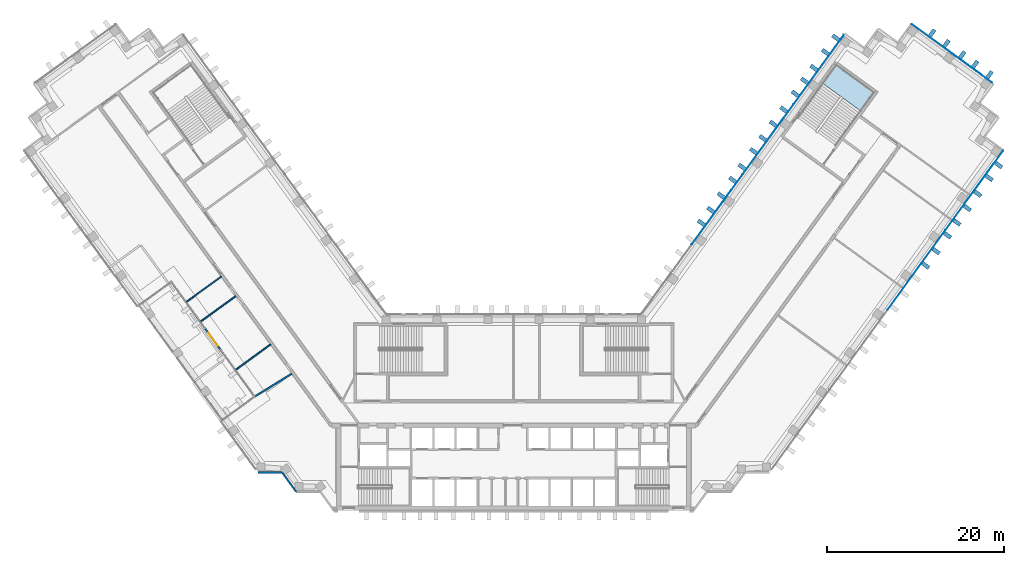
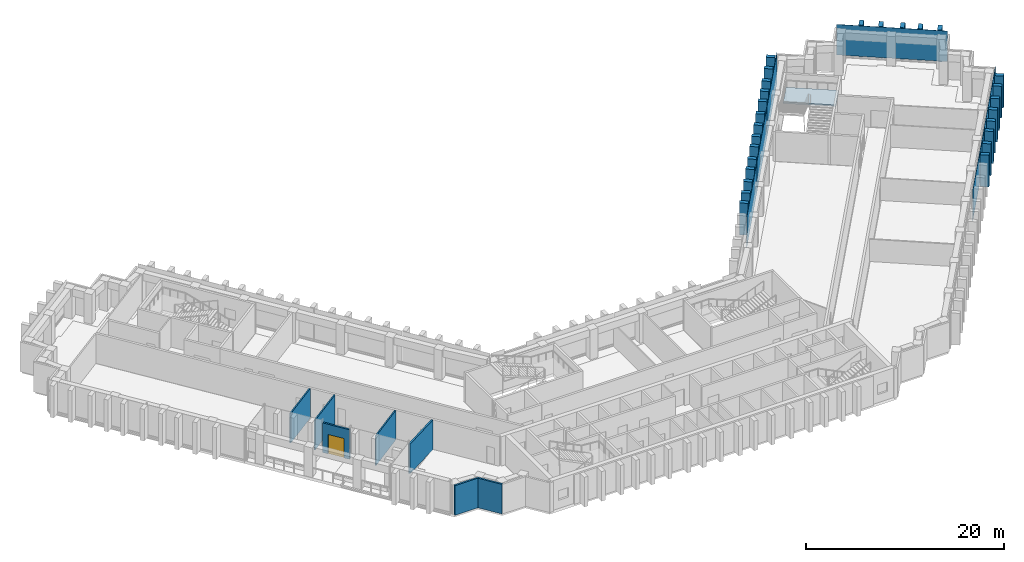
"""IFC4 building model written with IfcOpenShell, lengths in metres."""

from ifc_helpers import new_model, si_unit, direction, frame, frame_2d, origin, origin_2d, place, context, subcontext, project, spatial, polyline, rectangle, outline, extrude, material, layer, layer_set, type_object, element, fill, aggregate, save


model = new_model("IFC4")

# Units and contexts
model_context = context("Model", 3, precision=1e-05, world=origin(), true_north=direction((0.0, 1.0)))
body_context = subcontext(model_context, "Body", "Model", "MODEL_VIEW")
ifc_project = project(units=[si_unit("LENGTHUNIT", "METRE"), si_unit("AREAUNIT", "SQUARE_METRE"), si_unit("VOLUMEUNIT", "CUBIC_METRE"), si_unit("PLANEANGLEUNIT", "RADIAN"), si_unit("MASSUNIT", "GRAM", prefix="KILO")], contexts=[model_context])

# Site, building, storey
site_placement = place(None, origin())
site = spatial("IfcSite", under=ifc_project, at=site_placement, CompositionType="ELEMENT")
building_placement = place(site_placement, origin())
building = spatial("IfcBuilding", under=site, at=building_placement, Name="Quipu Civic Tower", CompositionType="ELEMENT")
storey_1_placement = place(building_placement, frame((0.0, 0.0, 59.0)))
storey_1 = spatial("IfcBuildingStorey", under=building, at=storey_1_placement, Name="L13", CompositionType="ELEMENT", Elevation=59.0)

# Curtain wall
ifc_material_1 = material(Name="Insulated glass unit", Category="glass")
curtain_wall_type = type_object("IfcCurtainWallType", Name="Office curtain wall CW1", PredefinedType="NOTDEFINED", material=ifc_material_1)
curtain_wall_1_placement = place(storey_1_placement, origin())
curtain_wall_1 = element("IfcCurtainWall", 1, at=curtain_wall_1_placement, inside=storey_1, type_object=curtain_wall_type, Name="Office curtain wall CW1 L12 run 26", PredefinedType="NOTDEFINED")

# Storey
storey_2_placement = place(building_placement, frame((0.0, 0.0, 55.0)))
storey_2 = spatial("IfcBuildingStorey", under=building, at=storey_2_placement, Name="L12", CompositionType="ELEMENT", Elevation=55.0)

# Plate
ifc_material_2 = material(Name="Insulated glass unit", Category="glass")
ifc_layer_1 = layer(ifc_material_2, 0.028076171875)
ifc_layer_set_1 = layer_set([ifc_layer_1], Name="Insulated glass unit")
plate_type_1 = type_object("IfcPlateType", Name="Glass panel CW1", PredefinedType="CURTAIN_PANEL", material=ifc_layer_set_1)
plate_1_placement = place(storey_2_placement, frame((45.4296875, 16.11669921875, 0.240234375), z_axis=(0.0, 0.0, 1.0), x_axis=(0.587785559869, 0.809016770908, 0.0)))
plate_1 = element("IfcPlate", 2, at=plate_1_placement, inside=storey_2, type_object=plate_type_1, Name="CW1 panel 3.1", PredefinedType="CURTAIN_PANEL", context=body_context, shape_type="SweptSolid", body=[
    extrude(rectangle(XDim=11.062744140625, YDim=0.028076171875, at=origin_2d()), origin(), (0.0, 0.0, 1.0), 3.760009765625),
])

plate_2_placement = place(storey_2_placement, frame((51.967529296875, 25.114990234375, 0.240234375), z_axis=(0.0, 0.0, 1.0), x_axis=(0.587785559869, 0.809016770908, 0.0)))
plate_2 = element("IfcPlate", 3, at=plate_2_placement, inside=storey_2, type_object=plate_type_1, Name="CW1 panel 4.1", PredefinedType="CURTAIN_PANEL", context=body_context, shape_type="SweptSolid", body=[
    extrude(rectangle(XDim=11.022705078125, YDim=0.028076171875, at=origin_2d()), origin(), (0.0, 0.0, 1.0), 3.760009765625),
])

aggregate(curtain_wall_1, [plate_1, plate_2])

# Curtain wall, plate
curtain_wall_2_placement = place(storey_1_placement, origin())
curtain_wall_2 = element("IfcCurtainWall", 4, at=curtain_wall_2_placement, inside=storey_1, type_object=curtain_wall_type, Name="Office curtain wall CW1 L12 run 31", PredefinedType="NOTDEFINED")
plate_3_placement = place(storey_2_placement, frame((49.447998046875, 40.53173828125, 0.240234375), z_axis=(0.0, 0.0, 1.0), x_axis=(-0.809019348124, 0.587782012621, 0.0)))
plate_3 = element("IfcPlate", 5, at=plate_3_placement, inside=storey_2, type_object=plate_type_1, Name="CW1 panel 1.1", PredefinedType="CURTAIN_PANEL", context=body_context, shape_type="SweptSolid", body=[
    extrude(rectangle(XDim=11.239990234375, YDim=0.028076171875, at=origin_2d()), origin(), (0.0, 0.0, 1.0), 3.760009765625),
])
aggregate(curtain_wall_2, [plate_3])

# Curtain wall, plates
curtain_wall_3_placement = place(storey_1_placement, origin())
curtain_wall_3 = element("IfcCurtainWall", 6, at=curtain_wall_3_placement, inside=storey_1, type_object=curtain_wall_type, Name="Office curtain wall CW1 L12 run 36", PredefinedType="NOTDEFINED")
plate_4_placement = place(storey_2_placement, frame((34.413330078125, 38.722900390625, 0.240234375), z_axis=(0.0, 0.0, 1.0), x_axis=(-0.587785887566, -0.809016532822, 0.0)))
plate_4 = element("IfcPlate", 7, at=plate_4_placement, inside=storey_2, type_object=plate_type_1, Name="CW1 panel 1.1", PredefinedType="CURTAIN_PANEL", context=body_context, shape_type="SweptSolid", body=[
    extrude(rectangle(XDim=9.64111328125, YDim=0.028076171875, at=origin_2d()), origin(), (0.0, 0.0, 1.0), 3.760009765625),
])
plate_5_placement = place(storey_2_placement, frame((28.687744140625, 30.84228515625, 0.240234375), z_axis=(0.0, 0.0, 1.0), x_axis=(-0.587785887566, -0.809016532822, 0.0)))
plate_5 = element("IfcPlate", 8, at=plate_5_placement, inside=storey_2, type_object=plate_type_1, Name="CW1 panel 2.1", PredefinedType="CURTAIN_PANEL", context=body_context, shape_type="SweptSolid", body=[
    extrude(rectangle(XDim=9.68115234375, YDim=0.028076171875, at=origin_2d()), origin(), (0.0, 0.0, 1.0), 3.760009765625),
])
plate_6_placement = place(storey_2_placement, frame((22.950439453125, 22.9453125, 0.240234375), z_axis=(0.0, 0.0, 1.0), x_axis=(-0.587785887566, -0.809016532822, 0.0)))
plate_6 = element("IfcPlate", 9, at=plate_6_placement, inside=storey_2, type_object=plate_type_1, Name="CW1 panel 3.1", PredefinedType="CURTAIN_PANEL", context=body_context, shape_type="SweptSolid", body=[
    extrude(rectangle(XDim=9.68115234375, YDim=0.028076171875, at=origin_2d()), origin(), (0.0, 0.0, 1.0), 3.760009765625),
])
aggregate(curtain_wall_3, [plate_4, plate_5, plate_6])

# Plates
ifc_material_3 = material(Name="Precast concrete C40/50", Category="concrete")
plate_type_2 = type_object("IfcPlateType", Name="Precast fin F1", PredefinedType="SHEET", material=ifc_material_3)
for number, where, z_axis, x_axis, name in (
    (10, (46.472900390625, 16.61669921875, 0.080078125), (0.0, 0.0, 1.0), (0.587785716149, 0.809016657363, 0.0), "Precast fin F1 L12.26.15"),
    (11, (47.6484375, 18.234619140625, 0.080078125), (0.0, 0.0, 1.0), (0.587785716149, 0.809016657363, 0.0), "Precast fin F1 L12.26.16"),
    (12, (48.941650390625, 20.0146484375, 0.080078125), (0.0, 0.0, 1.0), (0.587785716149, 0.809016657363, 0.0), "Precast fin F1 L12.26.17"),
    (13, (49.999755859375, 21.470703125, 0.080078125), (0.0, 0.0, 1.0), (0.587785716149, 0.809016657363, 0.0), "Precast fin F1 L12.26.18"),
    (14, (51.17529296875, 23.0888671875, 0.080078125), (0.0, 0.0, 1.0), (0.587785716149, 0.809016657363, 0.0), "Precast fin F1 L12.26.19"),
    (15, (52.350830078125, 24.706787109375, 0.080078125), (0.0, 0.0, 1.0), (0.587785716149, 0.809016657363, 0.0), "Precast fin F1 L12.26.20"),
    (16, (53.643798828125, 26.48681640625, 0.080078125), (0.0, 0.0, 1.0), (0.587785716149, 0.809016657363, 0.0), "Precast fin F1 L12.26.21"),
    (17, (54.701904296875, 27.94287109375, 0.080078125), (0.0, 0.0, 1.0), (0.587785716149, 0.809016657363, 0.0), "Precast fin F1 L12.26.22"),
    (18, (53.6748046875, 38.140625, 0.080078125), (0.0, 0.0, 1.0), (-0.809021318545, 0.587779300537, 0.0), "Precast fin F1 L12.31.1"),
    (19, (52.056884765625, 39.316162109375, 0.080078125), (0.0, 0.0, 1.0), (-0.809021318545, 0.587779300537, 0.0), "Precast fin F1 L12.31.2"),
    (20, (50.6005859375, 40.374267578125, 0.080078125), (0.0, 0.0, 1.0), (-0.809021318545, 0.587779300537, 0.0), "Precast fin F1 L12.31.3"),
    (21, (48.82080078125, 41.66748046875, 0.080078125), (0.0, 0.0, 1.0), (-0.809021318545, 0.587779300537, 0.0), "Precast fin F1 L12.31.4"),
    (22, (47.20263671875, 42.843017578125, 0.080078125), (0.0, 0.0, 1.0), (-0.809021318545, 0.587779300537, 0.0), "Precast fin F1 L12.31.5"),
    (23, (36.334716796875, 42.302978515625, 0.080078125), (0.0, 0.0, 1.0), (-0.587784944053, -0.809017218324, 0.0), "Precast fin F1 L12.36.1"),
    (24, (35.158935546875, 40.684814453125, 0.080078125), (0.0, 0.0, 1.0), (-0.587784944053, -0.809017218324, 0.0), "Precast fin F1 L12.36.2"),
    (25, (33.865966796875, 38.905029296875, 0.080078125), (0.0, 0.0, 1.0), (-0.587784944053, -0.809017218324, 0.0), "Precast fin F1 L12.36.3"),
    (26, (32.807861328125, 37.44873046875, 0.080078125), (0.0, 0.0, 1.0), (-0.587784944053, -0.809017218324, 0.0), "Precast fin F1 L12.36.4"),
    (27, (31.75, 35.992431640625, 0.080078125), (0.0, 0.0, 1.0), (-0.587784944053, -0.809017218324, 0.0), "Precast fin F1 L12.36.5"),
    (28, (30.456787109375, 34.212646484375, 0.080078125), (0.0, 0.0, 1.0), (-0.587784944053, -0.809017218324, 0.0), "Precast fin F1 L12.36.6"),
    (29, (29.28125, 32.5947265625, 0.080078125), (0.0, 0.0, 1.0), (-0.587784944053, -0.809017218324, 0.0), "Precast fin F1 L12.36.7"),
    (30, (28.105712890625, 30.9765625, 0.080078125), (0.0, 0.0, 1.0), (-0.587784944053, -0.809017218324, 0.0), "Precast fin F1 L12.36.8"),
    (31, (27.047607421875, 29.5205078125, 0.080078125), (0.0, 0.0, 1.0), (-0.587784944053, -0.809017218324, 0.0), "Precast fin F1 L12.36.9"),
    (32, (25.75439453125, 27.740478515625, 0.080078125), (0.0, 0.0, 1.0), (-0.587784944053, -0.809017218324, 0.0), "Precast fin F1 L12.36.10"),
    (33, (24.696533203125, 26.284423828125, 0.080078125), (0.0, 0.0, 1.0), (-0.587784944053, -0.809017218324, 0.0), "Precast fin F1 L12.36.11"),
    (34, (23.4033203125, 24.50439453125, 0.080078125), (0.0, 0.0, 1.0), (-0.587784944053, -0.809017218324, 0.0), "Precast fin F1 L12.36.12"),
    (35, (22.227783203125, 22.886474609375, 0.080078125), (0.0, 0.0, 1.0), (-0.587784944053, -0.809017218324, 0.0), "Precast fin F1 L12.36.13"),
    (36, (21.169677734375, 21.43017578125, 0.080078125), (0.0, 0.0, 1.0), (-0.587784944053, -0.809017218324, 0.0), "Precast fin F1 L12.36.14"),
):
    element("IfcPlate", number, at=place(storey_2_placement, frame(where, z_axis=z_axis, x_axis=x_axis)), inside=storey_2, type_object=plate_type_2, Name=name, PredefinedType="SHEET", context=body_context, shape_type="SweptSolid", body=[
        extrude(rectangle(XDim=0.449951171875, YDim=0.89990234375, at=origin_2d()), origin(), (0.0, 0.0, 1.0), 3.919921875),
    ])

# Stair, slab
ifc_material_4 = material(Name="Concrete C40/50", Category="concrete")
stair_type = type_object("IfcStairType", Name="Half turn stair 2600", PredefinedType="HALF_TURN_STAIR", material=ifc_material_4)
stair_placement = place(storey_2_placement, origin())
stair = element("IfcStair", 37, at=stair_placement, inside=storey_2, type_object=stair_type, Name="Exit stair 7", PredefinedType="HALF_TURN_STAIR")
ifc_material_5 = material(Name="Concrete C40/50", Category="concrete")
ifc_layer_2 = layer(ifc_material_5, 0.199951171875)
ifc_layer_set_2 = layer_set([ifc_layer_2], Name="Concrete C40/50")
slab_type = type_object("IfcSlabType", Name="Stair landing 200", PredefinedType="LANDING", material=ifc_layer_set_2)
slab_placement = place(storey_2_placement, frame((0.0, 0.0, 1.800048828125)))
slab = element("IfcSlab", 38, at=slab_placement, type_object=slab_type, Name="ST-7 landing 1", PredefinedType="LANDING", context=body_context, shape_type="SweptSolid", body=[
    extrude(outline(polyline([(39.16552734375, 34.034912109375), (40.69384765625, 36.138427734375), (36.365478515625, 39.282958984375), (34.837158203125, 37.179443359375), (39.16552734375, 34.034912109375)])), origin(), (0.0, 0.0, 1.0), 0.199951171875),
])
aggregate(stair, [slab])

# Walls
ifc_material_6 = material(Name="Double gypsum plasterboard with mineral wool")
ifc_layer_3 = layer(ifc_material_6, 0.14990234375)
ifc_layer_set_3 = layer_set([ifc_layer_3], Name="Double gypsum plasterboard with mineral wool")
wall_type_1 = type_object("IfcWallType", Name="Acoustic partition 150 plasterboard", PredefinedType="PARTITIONING", material=ifc_layer_set_3)
wall_1_placement = place(storey_2_placement, frame((-36.879638671875, 12.538818359375, 0.0), z_axis=(0.0, 0.0, 1.0), x_axis=(0.809072133835, 0.58770935185, 0.0)))
element("IfcWall", 39, at=wall_1_placement, inside=storey_2, type_object=wall_type_1, Name="Partition P09", PredefinedType="PARTITIONING", context=body_context, shape_type="SweptSolid", body=[
    extrude(rectangle(XDim=4.836181640625, YDim=0.14990234375, at=frame_2d((2.41796875, 0.0))), origin(), (0.0, 0.0, 1.0), 3.64990234375),
])
wall_2_placement = place(storey_2_placement, frame((-31.356201171875, 13.163818359375, 0.0), z_axis=(0.0, 0.0, 1.0), x_axis=(-0.809191339455, -0.587545212006, 0.0)))
element("IfcWall", 40, at=wall_2_placement, inside=storey_2, type_object=wall_type_1, Name="Partition P10", PredefinedType="PARTITIONING", context=body_context, shape_type="SweptSolid", body=[
    extrude(rectangle(XDim=4.936767578125, YDim=0.14990234375, at=frame_2d((2.46826171875, 0.0))), origin(), (0.0, 0.0, 1.0), 3.64990234375),
])
wall_3_placement = place(storey_2_placement, frame((-31.39111328125, 4.812744140625, 0.0), z_axis=(0.0, 0.0, 1.0), x_axis=(0.805925155422, 0.592017435434, 0.0)))
element("IfcWall", 41, at=wall_3_placement, inside=storey_2, type_object=wall_type_1, Name="Partition P11", PredefinedType="PARTITIONING", context=body_context, shape_type="SweptSolid", body=[
    extrude(rectangle(XDim=4.936279296875, YDim=0.14990234375, at=frame_2d((2.46826171875, 0.0))), origin(), (0.0, 0.0, 1.0), 3.64990234375),
])
ifc_material_7 = material(Name="Fired clay blockwork", Category="masonry")
ifc_layer_4 = layer(ifc_material_7, 0.199951171875)
ifc_layer_set_4 = layer_set([ifc_layer_4], Name="Fired clay blockwork")
wall_type_2 = type_object("IfcWallType", Name="Blockwork wall 200", PredefinedType="SOLIDWALL", material=ifc_layer_set_4)
wall_4_placement = place(storey_2_placement, frame((-25.00830078125, 4.4267578125, 0.0), z_axis=(0.0, 0.0, 1.0), x_axis=(-0.850959437964, -0.525231410847, 0.0)))
element("IfcWall", 42, at=wall_4_placement, inside=storey_2, type_object=wall_type_2, Name="Partition P12", PredefinedType="SOLIDWALL", context=body_context, shape_type="SweptSolid", body=[
    extrude(rectangle(XDim=4.850830078125, YDim=0.199951171875, at=frame_2d((2.42529296875, 0.0))), origin(), (0.0, 0.0, 1.0), 3.64990234375),
])
ifc_material_8 = material(Name="Precast concrete C40/50", Category="concrete")
wall_type_3 = type_object("IfcWallType", Name="Precast cladding wall", PredefinedType="SOLIDWALL", material=ifc_material_8)
wall_5_placement = place(storey_2_placement, frame((-28.829833984375, -6.71923828125, 0.0), z_axis=(0.0, 0.0, 1.0), x_axis=(1.0, 0.0, 0.0)))
element("IfcWall", 43, at=wall_5_placement, inside=storey_2, type_object=wall_type_3, Name="Precast cladding wall L12 8", PredefinedType="SOLIDWALL", context=body_context, shape_type="SweptSolid", body=[
    extrude(rectangle(XDim=2.699951171875, YDim=0.199951171875, at=frame_2d((1.35009765625, 0.0))), origin(), (0.0, 0.0, 1.0), 3.64990234375),
])
wall_6_placement = place(storey_2_placement, frame((-26.1201171875, -6.72412109375, 0.0), z_axis=(0.0, 0.0, 1.0), x_axis=(0.587720002413, -0.809064397168, 0.0)))
element("IfcWall", 44, at=wall_6_placement, inside=storey_2, type_object=wall_type_3, Name="Precast cladding wall L12 9", PredefinedType="SOLIDWALL", context=body_context, shape_type="SweptSolid", body=[
    extrude(rectangle(XDim=2.7001953125, YDim=0.199951171875, at=frame_2d((1.35009765625, 0.0))), origin(), (0.0, 0.0, 1.0), 3.64990234375),
])

# Wall, opening, door
ifc_material_9 = material(Name="Precast concrete C40/50", Category="concrete")
wall_type_4 = type_object("IfcWallType", Name="Precast door surround", PredefinedType="SOLIDWALL", material=ifc_material_9)
wall_7_placement = place(storey_2_placement, frame((-33.053466796875, 7.1025390625, 0.0), z_axis=(0.0, 0.0, 1.0), x_axis=(-0.587774760134, 0.809024617271, 0.0)))
wall_7 = element("IfcWall", 45, at=wall_7_placement, inside=storey_2, type_object=wall_type_4, Name="Door surround ED-L12-1", PredefinedType="SOLIDWALL", context=body_context, shape_type="SweptSolid", body=[
    extrude(rectangle(XDim=2.962890625, YDim=0.199951171875, at=frame_2d((1.4814453125, 0.0))), origin(), (0.0, 0.0, 1.0), 3.64990234375),
])
opening_placement = place(wall_7_placement, frame((0.58154296875, 0.0, 0.0)))
opening = element("IfcOpeningElement", 46, at=opening_placement, cuts=wall_7, Name="Opening ED-L12-1", PredefinedType="OPENING", context=body_context, shape_type="SweptSolid", body=[
    extrude(rectangle(XDim=1.800048828125, YDim=2.39990234375, at=frame_2d((0.89990234375, 1.199951171875))), frame((0.0, 0.10986328125, 0.0), z_axis=(0.0, -1.0, 0.0), x_axis=(1.0, 0.0, 0.0)), (0.0, 0.0, 1.0), 0.219970703125),
])
ifc_material_10 = material(Name="Aluminium framed glazed door", Category="aluminium")
door_type = type_object("IfcDoorType", Name="Terrace door E3", OperationType="DOUBLE_DOOR_SINGLE_SWING", PredefinedType="DOOR", material=ifc_material_10)
door_placement = place(opening_placement, origin())
door = element("IfcDoor", 47, at=door_placement, inside=storey_2, type_object=door_type, Name="E3 door ED-L12-1", OperationType="DOUBLE_DOOR_SINGLE_SWING", OverallHeight=2.39990234375, OverallWidth=1.800048828125, PredefinedType="DOOR", context=body_context, shape_type="SweptSolid", body=[
    extrude(rectangle(XDim=1.800048828125, YDim=2.39990234375, at=frame_2d((0.89990234375, 1.199951171875))), frame((0.0, 0.02490234375, 0.0), z_axis=(0.0, -1.0, 0.0), x_axis=(1.0, 0.0, 0.0)), (0.0, 0.0, 1.0), 0.050048828125),
])
fill(opening, door)

save(model, "model.ifc")
